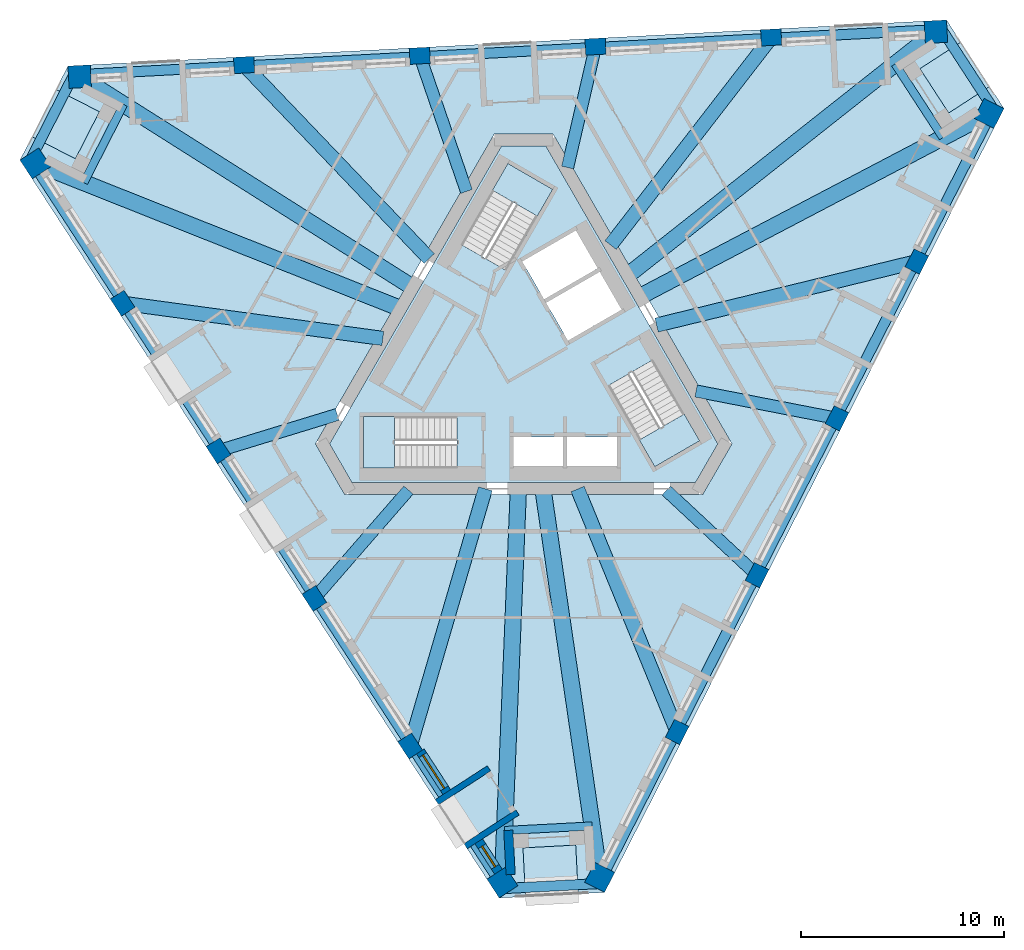
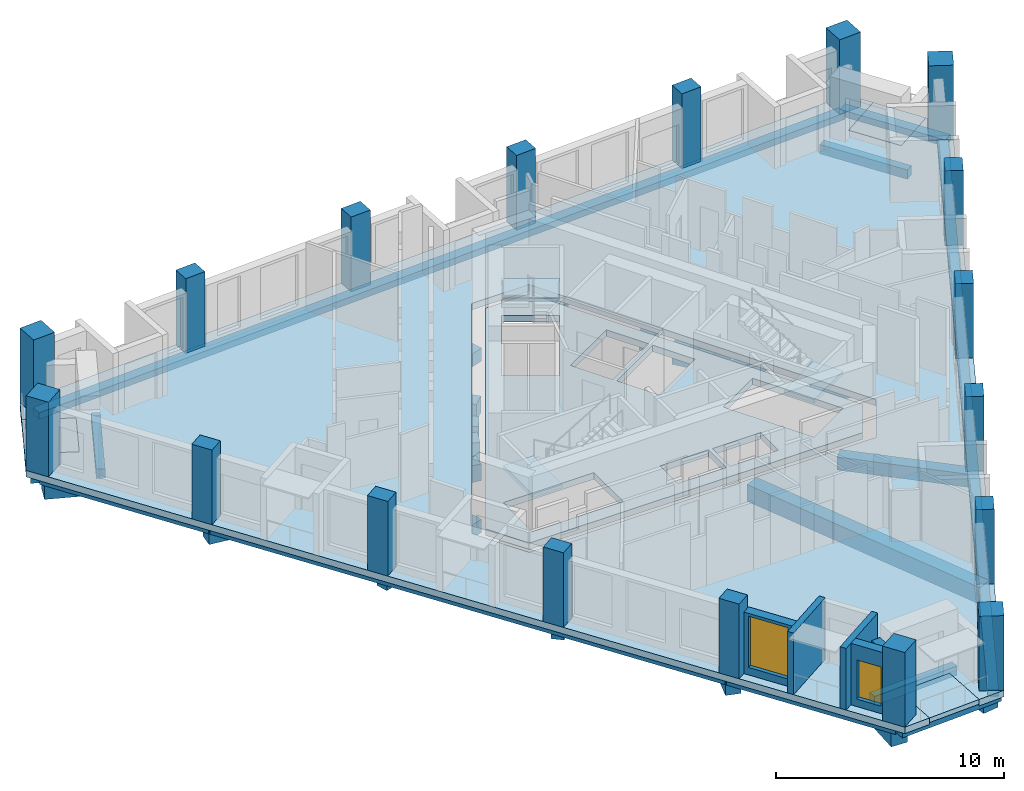
# One storey, part 1 of 12: 27 beams, 18 columns, 8 slabs, 5 walls, 2 windows, 2 openings, 3 elements without a shape of their own.
"""IFC4 building model written with IfcOpenShell, lengths in metres."""

from ifc_helpers import new_model, si_unit, direction, frame, frame_2d, origin, origin_2d, place, context, subcontext, project, spatial, polyline, rectangle, outline, extrude, material, layer, layer_set, material_profile, profile_set, type_object, element, fill, aggregate, save


model = new_model("IFC4")

# Units and contexts
model_context = context("Model", 3, precision=1e-05, world=origin(), true_north=direction((0.0, 1.0)))
body_context = subcontext(model_context, "Body", "Model", "MODEL_VIEW")
ifc_project = project(units=[si_unit("LENGTHUNIT", "METRE"), si_unit("AREAUNIT", "SQUARE_METRE"), si_unit("VOLUMEUNIT", "CUBIC_METRE"), si_unit("PLANEANGLEUNIT", "RADIAN"), si_unit("MASSUNIT", "GRAM", prefix="KILO")], contexts=[model_context])

# Site, building, storey
site_placement = place(None, origin())
site = spatial("IfcSite", under=ifc_project, at=site_placement, CompositionType="ELEMENT")
building_placement = place(site_placement, origin())
building = spatial("IfcBuilding", under=site, at=building_placement, Name="Tramontana Tower", CompositionType="ELEMENT")
storey_placement = place(building_placement, frame((0.0, 0.0, 298.39990234375)))
storey = spatial("IfcBuildingStorey", under=building, at=storey_placement, Name="L70", CompositionType="ELEMENT", Elevation=298.39990234375)

# Columns
ifc_material_1 = material(Name="Concrete 55 MPa", Category="concrete")
ifc_material_profile_1 = material_profile(ifc_material_1, rectangle(XDim=1.10009765625, YDim=1.10009765625, at=origin_2d()), Name="Mega column 1100X1100 55 MPa")
ifc_profile_set_1 = profile_set([ifc_material_profile_1], Name="Concrete 55 MPa")
column_type_1 = type_object("IfcColumnType", Name="Mega column 1100X1100 55 MPa", PredefinedType="COLUMN", material=ifc_profile_set_1)
for number, where, z_axis, x_axis, name in (
    (1, (-24.0302734375, 9.55419921875, 0.0), (0.0, 0.0, 1.0), (0.544639035015, -0.838670567945, 0.0), "Mega column C7K1 L70"),
    (2, (-1.0458984375, -25.8388671875, 0.0), (0.0, 0.0, 1.0), (0.544639035015, -0.838670567945, 0.0), "Mega column C7K2 L70"),
    (3, (3.740966796875, -25.587890625, 0.0), (0.0, 0.0, 1.0), (0.45399049974, 0.891006524188, 0.0), "Mega column C7K3 L70"),
    (4, (22.900146484375, 12.013671875, 0.0), (0.0, 0.0, 1.0), (0.45399049974, 0.891006524188, 0.0), "Mega column C7K4 L70"),
    (5, (20.289306640625, 16.033935546875, 0.0), (0.0, 0.0, 1.0), (-0.998629534755, -0.052335956243, 0.0), "Mega column C7K5 L70"),
    (6, (-21.854248046875, 13.8251953125, 0.0), (0.0, 0.0, 1.0), (-0.998629534755, -0.052335956243, 0.0), "Mega column C7K6 L70"),
):
    element("IfcColumn", number, at=place(storey_placement, frame(where, z_axis=z_axis, x_axis=x_axis)), inside=storey, type_object=column_type_1, Name=name, PredefinedType="COLUMN", context=body_context, shape_type="SweptSolid", body=[
        extrude(rectangle(XDim=1.10009765625, YDim=1.10009765625, at=origin_2d()), origin(), (0.0, 0.0, 1.0), 4.0),
    ])
ifc_material_2 = material(Name="Concrete 55 MPa", Category="concrete")
ifc_material_profile_2 = material_profile(ifc_material_2, rectangle(XDim=1.0, YDim=0.800048828125, at=origin_2d()), Name="Pier column 1000X800 55 MPa")
ifc_profile_set_2 = profile_set([ifc_material_profile_2], Name="Concrete 55 MPa")
column_type_2 = type_object("IfcColumnType", Name="Pier column 1000X800 55 MPa", PredefinedType="COLUMN", material=ifc_profile_set_2)
for number, where, z_axis, x_axis, name in (
    (7, (-19.739013671875, 2.670654296875, 0.0), (0.0, 0.0, 1.0), (0.544639035015, -0.838670567945, 0.0), "Pier column C7F01 L70"),
    (8, (-15.022216796875, -4.592529296875, 0.0), (0.0, 0.0, 1.0), (0.544639035015, -0.838670567945, 0.0), "Pier column C7F02 L70"),
    (9, (-10.3056640625, -11.855712890625, 0.0), (0.0, 0.0, 1.0), (0.544639035015, -0.838670567945, 0.0), "Pier column C7F03 L70"),
    (10, (-5.5888671875, -19.11865234375, 0.0), (0.0, 0.0, 1.0), (0.544639035015, -0.838670567945, 0.0), "Pier column C7F04 L70"),
    (11, (7.556640625, -18.4296875, 0.0), (0.0, 0.0, 1.0), (0.45399049974, 0.891006524188, 0.0), "Pier column C7F05 L70"),
    (12, (11.48828125, -10.71337890625, 0.0), (0.0, 0.0, 1.0), (0.45399049974, 0.891006524188, 0.0), "Pier column C7F06 L70"),
    (13, (15.419921875, -2.9970703125, 0.0), (0.0, 0.0, 1.0), (0.45399049974, 0.891006524188, 0.0), "Pier column C7F07 L70"),
    (14, (19.351806640625, 4.71923828125, 0.0), (0.0, 0.0, 1.0), (0.45399049974, 0.891006524188, 0.0), "Pier column C7F08 L70"),
    (15, (12.182373046875, 15.75927734375, 0.0), (0.0, 0.0, 1.0), (-0.998629534755, -0.052335956243, 0.0), "Pier column C7F09 L70"),
    (16, (3.533935546875, 15.305908203125, 0.0), (0.0, 0.0, 1.0), (-0.998629534755, -0.052335956243, 0.0), "Pier column C7F10 L70"),
    (17, (-5.114501953125, 14.852783203125, 0.0), (0.0, 0.0, 1.0), (-0.998629534755, -0.052335956243, 0.0), "Pier column C7F11 L70"),
    (18, (-13.762939453125, 14.3994140625, 0.0), (0.0, 0.0, 1.0), (-0.998629534755, -0.052335956243, 0.0), "Pier column C7F12 L70"),
):
    element("IfcColumn", number, at=place(storey_placement, frame(where, z_axis=z_axis, x_axis=x_axis)), inside=storey, type_object=column_type_2, Name=name, PredefinedType="COLUMN", context=body_context, shape_type="SweptSolid", body=[
        extrude(rectangle(XDim=1.0, YDim=0.800048828125, at=origin_2d()), origin(), (0.0, 0.0, 1.0), 4.0),
    ])

# Beams
ifc_material_3 = material(Name="Concrete 40 MPa", Category="concrete")
ifc_material_profile_3 = material_profile(ifc_material_3, rectangle(XDim=0.5, YDim=0.35009765625, at=origin_2d()), Name="RC EDGE BEAM 500X350 40 MPa")
ifc_profile_set_3 = profile_set([ifc_material_profile_3], Name="Concrete 40 MPa")
beam_type_1 = type_object("IfcBeamType", Name="RC EDGE BEAM 500X350 40 MPa", PredefinedType="SPANDREL", material=ifc_profile_set_3)
beam_1_placement = place(storey_placement, frame((-24.1142578125, 9.499755859375, -0.52490234375), z_axis=(0.544636517119, -0.838672203081, 0.0), x_axis=(0.838672203081, 0.544636517119, 0.0)))
element("IfcBeam", 19, at=beam_1_placement, inside=storey, type_object=beam_type_1, Name="Spandrel beam S0 L70", PredefinedType="SPANDREL", context=body_context, shape_type="SweptSolid", body=[
    extrude(rectangle(XDim=0.5, YDim=0.35009765625, at=origin_2d()), origin(), (0.0, 0.0, 1.0), 42.201416015625),
])
beam_2_placement = place(storey_placement, frame((3.830078125, -25.63330078125, -0.52490234375), z_axis=(0.453990170761, 0.891006691811, 0.0), x_axis=(-0.891006691811, 0.453990170761, 0.0)))
element("IfcBeam", 20, at=beam_2_placement, inside=storey, type_object=beam_type_1, Name="Spandrel beam S1 L70", PredefinedType="SPANDREL", context=body_context, shape_type="SweptSolid", body=[
    extrude(rectangle(XDim=0.5, YDim=0.35009765625, at=origin_2d()), origin(), (0.0, 0.0, 1.0), 42.201171875),
])
beam_3_placement = place(storey_placement, frame((20.2841796875, 16.1337890625, -0.52490234375), z_axis=(-0.998629423141, -0.052338085918, 0.0), x_axis=(0.052338085918, -0.998629423141, 0.0)))
element("IfcBeam", 21, at=beam_3_placement, inside=storey, type_object=beam_type_1, Name="Spandrel beam S2 L70", PredefinedType="SPANDREL", context=body_context, shape_type="SweptSolid", body=[
    extrude(rectangle(XDim=0.5, YDim=0.35009765625, at=origin_2d()), origin(), (0.0, 0.0, 1.0), 42.201416015625),
])
for number, where, z_axis, x_axis, name in (
    (22, (-22.03125, 14.141357421875, -0.52490234375), (-0.453966603753, -0.891018699398, 0.0), (0.891018699398, -0.453966603753, 0.0), "Spandrel beam K0 L70"),
    (23, (-1.231201171875, -26.150390625, -0.52490234375), (0.99862935635, 0.05233936029, 0.0), (-0.05233936029, 0.99862935635, 0.0), "Spandrel beam K1 L70"),
    (24, (23.262451171875, 12.0087890625, -0.52490234375), (-0.544641495757, 0.838668969916, 0.0), (-0.838668969916, -0.544641495757, 0.0), "Spandrel beam K2 L70"),
):
    element("IfcBeam", number, at=place(storey_placement, frame(where, z_axis=z_axis, x_axis=x_axis)), inside=storey, type_object=beam_type_1, Name=name, PredefinedType="SPANDREL", context=body_context, shape_type="SweptSolid", body=[
        extrude(rectangle(XDim=0.5, YDim=0.35009765625, at=origin_2d()), origin(), (0.0, 0.0, 1.0), 5.1962890625),
    ])
ifc_material_4 = material(Name="Concrete 40 MPa", Category="concrete")
ifc_material_profile_4 = material_profile(ifc_material_4, rectangle(XDim=0.60009765625, YDim=0.699951171875, at=origin_2d()), Name="RC GIRDER 600X700 40 MPa")
ifc_profile_set_4 = profile_set([ifc_material_profile_4], Name="Concrete 40 MPa")
beam_type_2 = type_object("IfcBeamType", Name="RC GIRDER 600X700 40 MPa", PredefinedType="BEAM", material=ifc_profile_set_4)
beam_4_placement = place(storey_placement, frame((-15.022216796875, -4.592529296875, -0.699951171875), z_axis=(0.956311245936, 0.292350476137, 0.0), x_axis=(-0.292350476137, 0.956311245936, 0.0)))
element("IfcBeam", 25, at=beam_4_placement, inside=storey, type_object=beam_type_2, Name="Radial girder C7F02 L70", PredefinedType="BEAM", context=body_context, shape_type="SweptSolid", body=[
    extrude(rectangle(XDim=0.60009765625, YDim=0.699951171875, at=origin_2d()), origin(), (0.0, 0.0, 1.0), 6.111328125),
])
beam_5_placement = place(storey_placement, frame((-10.3056640625, -11.855712890625, -0.699951171875), z_axis=(0.656054652409, 0.754713384705, 0.0), x_axis=(-0.754713384705, 0.656054652409, 0.0)))
element("IfcBeam", 26, at=beam_5_placement, inside=storey, type_object=beam_type_2, Name="Radial girder C7F03 L70", PredefinedType="BEAM", context=body_context, shape_type="SweptSolid", body=[
    extrude(rectangle(XDim=0.60009765625, YDim=0.699951171875, at=origin_2d()), origin(), (0.0, 0.0, 1.0), 7.06494140625),
])
beam_6_placement = place(storey_placement, frame((11.48828125, -10.71337890625, -0.699951171875), z_axis=(-0.731344808312, 0.682007896843, 0.0), x_axis=(-0.682007896843, -0.731344808312, 0.0)))
element("IfcBeam", 27, at=beam_6_placement, inside=storey, type_object=beam_type_2, Name="Radial girder C7F06 L70", PredefinedType="BEAM", context=body_context, shape_type="SweptSolid", body=[
    extrude(rectangle(XDim=0.60009765625, YDim=0.699951171875, at=origin_2d()), origin(), (0.0, 0.0, 1.0), 6.111328125),
])
beam_7_placement = place(storey_placement, frame((15.419921875, -2.9970703125, -0.699951171875), z_axis=(-0.981630853668, 0.190790112761, 0.0), x_axis=(-0.190790112761, -0.981630853668, 0.0)))
element("IfcBeam", 28, at=beam_7_placement, inside=storey, type_object=beam_type_2, Name="Radial girder C7F07 L70", PredefinedType="BEAM", context=body_context, shape_type="SweptSolid", body=[
    extrude(rectangle(XDim=0.60009765625, YDim=0.699951171875, at=origin_2d()), origin(), (0.0, 0.0, 1.0), 7.06494140625),
])
beam_8_placement = place(storey_placement, frame((3.533935546875, 15.305908203125, -0.699951171875), z_axis=(-0.224955788451, -0.974368971818, 0.0), x_axis=(0.974368971818, -0.224955788451, 0.0)))
element("IfcBeam", 29, at=beam_8_placement, inside=storey, type_object=beam_type_2, Name="Radial girder C7F10 L70", PredefinedType="BEAM", context=body_context, shape_type="SweptSolid", body=[
    extrude(rectangle(XDim=0.60009765625, YDim=0.699951171875, at=origin_2d()), origin(), (0.0, 0.0, 1.0), 6.111328125),
])
beam_9_placement = place(storey_placement, frame((-5.114501953125, 14.852783203125, -0.699951171875), z_axis=(0.325583843266, -0.945513173364, 0.0), x_axis=(0.945513173364, 0.325583843266, 0.0)))
element("IfcBeam", 30, at=beam_9_placement, inside=storey, type_object=beam_type_2, Name="Radial girder C7F11 L70", PredefinedType="BEAM", context=body_context, shape_type="SweptSolid", body=[
    extrude(rectangle(XDim=0.60009765625, YDim=0.699951171875, at=origin_2d()), origin(), (0.0, 0.0, 1.0), 7.065185546875),
])
ifc_material_5 = material(Name="Concrete 40 MPa", Category="concrete")
ifc_material_profile_5 = material_profile(ifc_material_5, rectangle(XDim=0.699951171875, YDim=0.89990234375, at=origin_2d()), Name="RC GIRDER 700X900 40 MPa")
ifc_profile_set_5 = profile_set([ifc_material_profile_5], Name="Concrete 40 MPa")
beam_type_3 = type_object("IfcBeamType", Name="RC GIRDER 700X900 40 MPa", PredefinedType="BEAM", material=ifc_profile_set_5)
beam_10_placement = place(storey_placement, frame((-19.739013671875, 2.670654296875, -0.7998046875), z_axis=(0.990971820042, -0.134070324396, 0.0), x_axis=(0.134070324396, 0.990971820042, 0.0)))
element("IfcBeam", 31, at=beam_10_placement, inside=storey, type_object=beam_type_3, Name="Radial girder C7F01 L70", PredefinedType="BEAM", context=body_context, shape_type="SweptSolid", body=[
    extrude(rectangle(XDim=0.699951171875, YDim=0.89990234375, at=origin_2d()), origin(), (0.0, 0.0, 1.0), 12.923583984375),
])
beam_11_placement = place(storey_placement, frame((-5.5888671875, -19.11865234375, -0.7998046875), z_axis=(0.280592184152, 0.959827081402, 0.0), x_axis=(-0.959827081402, 0.280592184152, 0.0)))
element("IfcBeam", 32, at=beam_11_placement, inside=storey, type_object=beam_type_3, Name="Radial girder C7F04 L70", PredefinedType="BEAM", context=body_context, shape_type="SweptSolid", body=[
    extrude(rectangle(XDim=0.699951171875, YDim=0.89990234375, at=origin_2d()), origin(), (0.0, 0.0, 1.0), 13.186279296875),
])
beam_12_placement = place(storey_placement, frame((7.556640625, -18.4296875, -0.7998046875), z_axis=(-0.379376408021, 0.925242422848, 0.0), x_axis=(-0.925242422848, -0.379376408021, 0.0)))
element("IfcBeam", 33, at=beam_12_placement, inside=storey, type_object=beam_type_3, Name="Radial girder C7F05 L70", PredefinedType="BEAM", context=body_context, shape_type="SweptSolid", body=[
    extrude(rectangle(XDim=0.699951171875, YDim=0.89990234375, at=origin_2d()), origin(), (0.0, 0.0, 1.0), 12.92333984375),
])
beam_13_placement = place(storey_placement, frame((19.351806640625, 4.71923828125, -0.7998046875), z_axis=(-0.971531149173, -0.2369118532, 0.0), x_axis=(0.2369118532, -0.971531149173, 0.0)))
element("IfcBeam", 34, at=beam_13_placement, inside=storey, type_object=beam_type_3, Name="Radial girder C7F08 L70", PredefinedType="BEAM", context=body_context, shape_type="SweptSolid", body=[
    extrude(rectangle(XDim=0.699951171875, YDim=0.89990234375, at=origin_2d()), origin(), (0.0, 0.0, 1.0), 13.1865234375),
])
beam_14_placement = place(storey_placement, frame((12.182373046875, 15.75927734375, -0.7998046875), z_axis=(-0.611594268049, -0.791171568808, 0.0), x_axis=(0.791171568808, -0.611594268049, 0.0)))
element("IfcBeam", 35, at=beam_14_placement, inside=storey, type_object=beam_type_3, Name="Radial girder C7F09 L70", PredefinedType="BEAM", context=body_context, shape_type="SweptSolid", body=[
    extrude(rectangle(XDim=0.699951171875, YDim=0.89990234375, at=origin_2d()), origin(), (0.0, 0.0, 1.0), 12.923583984375),
])
beam_15_placement = place(storey_placement, frame((-13.762939453125, 14.3994140625, -0.7998046875), z_axis=(0.69094809316, -0.722904373039, 0.0), x_axis=(0.722904373039, 0.69094809316, 0.0)))
element("IfcBeam", 36, at=beam_15_placement, inside=storey, type_object=beam_type_3, Name="Radial girder C7F12 L70", PredefinedType="BEAM", context=body_context, shape_type="SweptSolid", body=[
    extrude(rectangle(XDim=0.699951171875, YDim=0.89990234375, at=origin_2d()), origin(), (0.0, 0.0, 1.0), 13.186279296875),
])
ifc_material_6 = material(Name="Concrete 40 MPa", Category="concrete")
ifc_material_profile_6 = material_profile(ifc_material_6, rectangle(XDim=0.800048828125, YDim=1.10009765625, at=origin_2d()), Name="RC GIRDER 800X1100 40 MPa")
ifc_profile_set_6 = profile_set([ifc_material_profile_6], Name="Concrete 40 MPa")
beam_type_4 = type_object("IfcBeamType", Name="RC GIRDER 800X1100 40 MPa", PredefinedType="BEAM", material=ifc_profile_set_6)
beam_16_placement = place(storey_placement, frame((-24.030517578125, 9.55419921875, -0.89990234375), z_axis=(0.929246961318, -0.369459178912, 0.0), x_axis=(0.369459178912, 0.929246961318, 0.0)))
element("IfcBeam", 37, at=beam_16_placement, inside=storey, type_object=beam_type_4, Name="Radial girder C7K1 L70", PredefinedType="BEAM", context=body_context, shape_type="SweptSolid", body=[
    extrude(rectangle(XDim=0.800048828125, YDim=1.10009765625, at=origin_2d()), origin(), (0.0, 0.0, 1.0), 19.33837890625),
])
beam_17_placement = place(storey_placement, frame((-1.0458984375, -25.8388671875, -0.89990234375), z_axis=(0.040449893492, 0.999181568143, 0.0), x_axis=(-0.999181568143, 0.040449893492, 0.0)))
element("IfcBeam", 38, at=beam_17_placement, inside=storey, type_object=beam_type_4, Name="Radial girder C7K2 L70", PredefinedType="BEAM", context=body_context, shape_type="SweptSolid", body=[
    extrude(rectangle(XDim=0.800048828125, YDim=1.10009765625, at=origin_2d()), origin(), (0.0, 0.0, 1.0), 19.404541015625),
])
beam_18_placement = place(storey_placement, frame((3.7412109375, -25.587890625, -0.89990234375), z_axis=(-0.144667438406, 0.989480334451, 0.0), x_axis=(-0.989480334451, -0.144667438406, 0.0)))
element("IfcBeam", 39, at=beam_18_placement, inside=storey, type_object=beam_type_4, Name="Radial girder C7K3 L70", PredefinedType="BEAM", context=body_context, shape_type="SweptSolid", body=[
    extrude(rectangle(XDim=0.800048828125, YDim=1.10009765625, at=origin_2d()), origin(), (0.0, 0.0, 1.0), 19.338134765625),
])
beam_19_placement = place(storey_placement, frame((22.89990234375, 12.013671875, -0.89990234375), z_axis=(-0.885538061337, -0.46456683257, 0.0), x_axis=(0.46456683257, -0.885538061337, 0.0)))
element("IfcBeam", 40, at=beam_19_placement, inside=storey, type_object=beam_type_4, Name="Radial girder C7K4 L70", PredefinedType="BEAM", context=body_context, shape_type="SweptSolid", body=[
    extrude(rectangle(XDim=0.800048828125, YDim=1.10009765625, at=origin_2d()), origin(), (0.0, 0.0, 1.0), 19.404296875),
])
beam_20_placement = place(storey_placement, frame((20.289306640625, 16.03369140625, -0.89990234375), z_axis=(-0.784585689125, -0.620020400003, 0.0), x_axis=(0.620020400003, -0.784585689125, 0.0)))
element("IfcBeam", 41, at=beam_20_placement, inside=storey, type_object=beam_type_4, Name="Radial girder C7K5 L70", PredefinedType="BEAM", context=body_context, shape_type="SweptSolid", body=[
    extrude(rectangle(XDim=0.800048828125, YDim=1.10009765625, at=origin_2d()), origin(), (0.0, 0.0, 1.0), 19.338134765625),
])
beam_21_placement = place(storey_placement, frame((-21.85400390625, 13.8251953125, -0.89990234375), z_axis=(0.845090437102, -0.53462337502, 0.0), x_axis=(0.53462337502, 0.845090437102, 0.0)))
element("IfcBeam", 42, at=beam_21_placement, inside=storey, type_object=beam_type_4, Name="Radial girder C7K6 L70", PredefinedType="BEAM", context=body_context, shape_type="SweptSolid", body=[
    extrude(rectangle(XDim=0.800048828125, YDim=1.10009765625, at=origin_2d()), origin(), (0.0, 0.0, 1.0), 19.404296875),
])
ifc_material_7 = material(Name="Concrete 40 MPa", Category="concrete")
ifc_material_profile_7 = material_profile(ifc_material_7, rectangle(XDim=0.39990234375, YDim=0.5, at=origin_2d()), Name="RC TRIM BEAM 400X500 40 MPa")
ifc_profile_set_7 = profile_set([ifc_material_profile_7], Name="Concrete 40 MPa")
beam_type_5 = type_object("IfcBeamType", Name="RC TRIM BEAM 400X500 40 MPa", PredefinedType="JOIST", material=ifc_profile_set_7)
for number, where, z_axis, x_axis, name in (
    (43, (-19.69091796875, 12.456787109375, -0.599853515625), (-0.454006220993, -0.890998513635, 0.0), (0.890998513635, -0.454006220993, 0.0), "Trimmer beam K0 L70"),
    (44, (-0.9423828125, -23.28125, -0.599853515625), (0.998629204559, 0.052342256377, 0.0), (-0.052342256377, 0.998629204559, 0.0), "Trimmer beam K1 L70"),
    (45, (20.63330078125, 10.824462890625, -0.599853515625), (-0.544628679426, 0.838677292853, 0.0), (-0.838677292853, -0.544628679426, 0.0), "Trimmer beam K2 L70"),
):
    element("IfcBeam", number, at=place(storey_placement, frame(where, z_axis=z_axis, x_axis=x_axis)), inside=storey, type_object=beam_type_5, Name=name, PredefinedType="JOIST", context=body_context, shape_type="SweptSolid", body=[
        extrude(rectangle(XDim=0.39990234375, YDim=0.5, at=origin_2d()), origin(), (0.0, 0.0, 1.0), 4.319091796875),
    ])

# Slabs
ifc_material_8 = material(Name="Precast concrete 50 MPa", Category="concrete")
ifc_layer_1 = layer(ifc_material_8, 0.25)
ifc_layer_set_1 = layer_set([ifc_layer_1], Name="LT1 Loggia floor tray 250")
slab_type_1 = type_object("IfcSlabType", Name="LT1 Loggia floor tray 250", PredefinedType="FLOOR", material=ifc_layer_set_1)
slab_1_placement = place(storey_placement, frame((0.0, 0.0, -0.25)))
element("IfcSlab", 46, at=slab_1_placement, inside=storey, type_object=slab_type_1, Name="Corner loggia floor L70 K70", PredefinedType="FLOOR", context=body_context, shape_type="SweptSolid", body=[
    extrude(outline(polyline([(-23.021484375, 13.18896484375), (-20.883056640625, 12.099365234375), (-22.0634765625, 9.782958984375), (-24.201904296875, 10.87255859375), (-23.021484375, 13.18896484375)])), origin(), (0.0, 0.0, 1.0), 0.25),
])
slab_2_placement = place(storey_placement, frame((0.0, 0.0, -0.25)))
element("IfcSlab", 47, at=slab_2_placement, inside=storey, type_object=slab_type_1, Name="Corner loggia floor L70 K71", PredefinedType="FLOOR", context=body_context, shape_type="SweptSolid", body=[
    extrude(outline(polyline([(0.088623046875, -26.53173828125), (-0.036865234375, -24.135009765625), (2.5595703125, -23.9990234375), (2.68505859375, -26.395751953125), (0.088623046875, -26.53173828125)])), origin(), (0.0, 0.0, 1.0), 0.25),
])
slab_3_placement = place(storey_placement, frame((0.0, 0.0, -0.25)))
element("IfcSlab", 48, at=slab_3_placement, inside=storey, type_object=slab_type_1, Name="Corner loggia floor L70 K72", PredefinedType="FLOOR", context=body_context, shape_type="SweptSolid", body=[
    extrude(outline(polyline([(22.932861328125, 13.3427734375), (20.919921875, 12.03564453125), (19.50390625, 14.216064453125), (21.516845703125, 15.523193359375), (22.932861328125, 13.3427734375)])), origin(), (0.0, 0.0, 1.0), 0.25),
])
ifc_material_9 = material(Name="Concrete 40 MPa", Category="concrete")
ifc_layer_2 = layer(ifc_material_9, 0.35009765625)
ifc_layer_set_2 = layer_set([ifc_layer_2], Name="PT FLAT SLAB 350 40 MPa")
slab_type_2 = type_object("IfcSlabType", Name="PT FLAT SLAB 350 40 MPa", PredefinedType="FLOOR", material=ifc_layer_set_2)
slab_4_placement = place(storey_placement, frame((0.0, 0.0, -0.349853515625)))
element("IfcSlab", 49, at=slab_4_placement, inside=storey, type_object=slab_type_2, Name="Floor slab L70", PredefinedType="FLOOR", context=body_context, shape_type="SweptSolid", body=[
    extrude(outline(polyline([(21.5166015625, 15.523193359375), (19.50390625, 14.216064453125), (20.919921875, 12.035400390625), (22.932861328125, 13.3427734375), (23.639892578125, 12.25390625), (3.9814453125, -26.32763671875), (2.68505859375, -26.3955078125), (2.5595703125, -23.998779296875), (-0.036865234375, -24.135009765625), (0.088623046875, -26.53173828125), (-1.20751953125, -26.599609375), (-24.791259765625, 9.7158203125), (-24.201904296875, 10.872314453125), (-22.0634765625, 9.782958984375), (-20.883056640625, 12.099609375), (-23.021484375, 13.189208984375), (-22.43212890625, 14.345703125), (20.809814453125, 16.61181640625), (21.5166015625, 15.523193359375)]), holes=[polyline([(-10.248046875, -4.25), (-8.8046875, -6.75), (8.8046875, -6.75), (10.248046875, -4.25), (1.443359375, 11.0), (-1.443359375, 11.0), (-10.248046875, -4.25)])]), origin(), (0.0, 0.0, 1.0), 0.349853515625),
])
slab_5_placement = place(storey_placement, frame((0.0, 0.0, -0.349853515625)))
element("IfcSlab", 50, at=slab_5_placement, inside=storey, type_object=slab_type_2, Name="Core floor slab L70", PredefinedType="FLOOR", context=body_context, shape_type="SweptSolid", body=[
    extrude(outline(polyline([(9.55517578125, -4.25), (8.458251953125, -6.14990234375), (-8.458251953125, -6.14990234375), (-9.55517578125, -4.25), (-1.096923828125, 10.39990234375), (1.096923828125, 10.39990234375), (9.55517578125, -4.25)]), holes=[polyline([(8.659912109375, -4.099365234375), (6.35986328125, -0.115478515625), (4.151611328125, -1.390625), (6.451416015625, -5.374267578125), (8.659912109375, -4.099365234375)]), polyline([(3.829833984375, 4.2666015625), (1.101806640625, 2.69140625), (2.177001953125, 0.82958984375), (4.90478515625, 2.404541015625), (3.829833984375, 4.2666015625)]), polyline([(4.590087890625, -3.89990234375), (2.139892578125, -3.89990234375), (2.139892578125, -5.449951171875), (4.590087890625, -5.449951171875), (4.590087890625, -3.89990234375)]), polyline([(2.65478515625, 6.3017578125), (-0.072998046875, 4.726806640625), (1.001953125, 2.86474609375), (3.729736328125, 4.439697265625), (2.65478515625, 6.3017578125)]), polyline([(1.93994140625, -5.449951171875), (1.93994140625, -3.89990234375), (-0.510009765625, -3.89990234375), (-0.510009765625, -5.449951171875), (1.93994140625, -5.449951171875)]), polyline([(-0.77978515625, 9.54931640625), (-3.079833984375, 5.565673828125), (-0.87158203125, 4.29052734375), (1.428466796875, 8.2744140625), (-0.77978515625, 9.54931640625)]), polyline([(-7.8798828125, -5.449951171875), (-3.280029296875, -5.449951171875), (-3.280029296875, -2.89990234375), (-7.8798828125, -2.89990234375), (-7.8798828125, -5.449951171875)])]), origin(), (0.0, 0.0, 1.0), 0.349853515625),
])

# Stair, slab
ifc_material_10 = material(Name="Concrete 40 MPa", Category="concrete")
stair_type = type_object("IfcStairType", Name="EXIT STAIR 24 RISERS", PredefinedType="HALF_TURN_STAIR", material=ifc_material_10)
stair_1_placement = place(storey_placement, origin())
stair_1 = element("IfcStair", 51, at=stair_1_placement, inside=storey, type_object=stair_type, Name="L70 Exit stair ST1", PredefinedType="HALF_TURN_STAIR")
ifc_material_11 = material(Name="Concrete 40 MPa", Category="concrete")
ifc_layer_3 = layer(ifc_material_11, 0.199951171875)
ifc_layer_set_3 = layer_set([ifc_layer_3], Name="STAIR LANDING 200")
slab_type_3 = type_object("IfcSlabType", Name="STAIR LANDING 200", PredefinedType="LANDING", material=ifc_layer_set_3)
slab_6_placement = place(storey_placement, frame((0.0, 0.0, 1.800048828125)))
slab_6 = element("IfcSlab", 52, at=slab_6_placement, type_object=slab_type_3, Name="ST1 landing 1", PredefinedType="LANDING", context=body_context, shape_type="SweptSolid", body=[
    extrude(outline(polyline([(0.66845703125, 6.9580078125), (1.428466796875, 8.274169921875), (-0.77978515625, 9.54931640625), (-1.539794921875, 8.23291015625), (0.66845703125, 6.9580078125)])), origin(), (0.0, 0.0, 1.0), 0.199951171875),
])
aggregate(stair_1, [slab_6])

stair_2_placement = place(storey_placement, origin())
stair_2 = element("IfcStair", 53, at=stair_2_placement, inside=storey, type_object=stair_type, Name="L70 Exit stair ST2", PredefinedType="HALF_TURN_STAIR")
slab_7_placement = place(storey_placement, frame((0.0, 0.0, 1.800048828125)))
slab_7 = element("IfcSlab", 54, at=slab_7_placement, type_object=slab_type_3, Name="ST2 landing 1", PredefinedType="LANDING", context=body_context, shape_type="SweptSolid", body=[
    extrude(outline(polyline([(-6.360107421875, -2.89990234375), (-7.8798828125, -2.89990234375), (-7.8798828125, -5.449951171875), (-6.360107421875, -5.449951171875), (-6.360107421875, -2.89990234375)])), origin(), (0.0, 0.0, 1.0), 0.199951171875),
])
aggregate(stair_2, [slab_7])

stair_3_placement = place(storey_placement, origin())
stair_3 = element("IfcStair", 55, at=stair_3_placement, inside=storey, type_object=stair_type, Name="L70 Exit stair ST3", PredefinedType="HALF_TURN_STAIR")
slab_8_placement = place(storey_placement, frame((0.0, 0.0, 1.800048828125)))
slab_8 = element("IfcSlab", 56, at=slab_8_placement, type_object=slab_type_3, Name="ST3 landing 1", PredefinedType="LANDING", context=body_context, shape_type="SweptSolid", body=[
    extrude(outline(polyline([(5.69140625, -4.057861328125), (6.451416015625, -5.374267578125), (8.659912109375, -4.099365234375), (7.89990234375, -2.782958984375), (5.69140625, -4.057861328125)])), origin(), (0.0, 0.0, 1.0), 0.199951171875),
])
aggregate(stair_3, [slab_8])

# Wall, opening, window
ifc_material_12 = material(Name="Precast concrete 60 MPa", Category="concrete")
ifc_layer_4 = layer(ifc_material_12, 0.449951171875)
ifc_layer_set_4 = layer_set([ifc_layer_4], Name="Precast concrete 60 MPa, 450 mm")
wall_type_1 = type_object("IfcWallType", Name="EW1 Stone-faced precast wall 450", PredefinedType="SOLIDWALL", material=ifc_layer_set_4)
wall_1_placement = place(storey_placement, frame((-5.0859375, -19.38818359375, 0.0), z_axis=(0.0, 0.0, 1.0), x_axis=(0.544675520966, -0.838646872563, 0.0)))
wall_1 = element("IfcWall", 57, at=wall_1_placement, inside=storey, type_object=wall_type_1, Name="External wall L70 face 0 bay 5", PredefinedType="SOLIDWALL", context=body_context, shape_type="SweptSolid", body=[
    extrude(rectangle(XDim=2.38671875, YDim=0.449951171875, at=frame_2d((1.193359375, 0.0))), origin(), (0.0, 0.0, 1.0), 3.300048828125),
])
opening_1_placement = place(wall_1_placement, frame((0.21826171875, 0.0, 0.39990234375)))
opening_1 = element("IfcOpeningElement", 58, at=opening_1_placement, cuts=wall_1, Name="Opening M3", PredefinedType="OPENING", context=body_context, shape_type="SweptSolid", body=[
    extrude(rectangle(XDim=1.949951171875, YDim=2.75, at=frame_2d((0.97509765625, 1.375))), frame((0.0, 0.23486328125, 0.0), z_axis=(0.0, -1.0, 0.0), x_axis=(1.0, 0.0, 0.0)), (0.0, 0.0, 1.0), 0.469970703125),
])
ifc_material_13 = material(Name="Aluminum frame, double glazing unit", Category="aluminium")
window_type_1 = type_object("IfcWindowType", Name="M3 Window 1.95 x 2.75", PartitioningType="SINGLE_PANEL", PredefinedType="WINDOW", material=ifc_material_13)
window_1_placement = place(opening_1_placement, origin())
window_1 = element("IfcWindow", 59, at=window_1_placement, inside=storey, type_object=window_type_1, Name="Window M3 L70 face 0 module 13", OverallHeight=2.75, OverallWidth=1.949951171875, PartitioningType="SINGLE_PANEL", PredefinedType="WINDOW", context=body_context, shape_type="SweptSolid", body=[
    extrude(rectangle(XDim=1.949951171875, YDim=2.75, at=frame_2d((0.97509765625, 1.375))), frame((0.0, 0.030029296875, 0.0), z_axis=(0.0, -1.0, 0.0), x_axis=(1.0, 0.0, 0.0)), (0.0, 0.0, 1.0), 0.06005859375),
])
fill(opening_1, window_1)

wall_2_placement = place(storey_placement, frame((-2.2138671875, -23.81103515625, 0.0), z_axis=(0.0, 0.0, 1.0), x_axis=(0.544632902776, -0.838674550236, 0.0)))
wall_2 = element("IfcWall", 60, at=wall_2_placement, inside=storey, type_object=wall_type_1, Name="External wall L70 face 0 bay 5", PredefinedType="SOLIDWALL", context=body_context, shape_type="SweptSolid", body=[
    extrude(rectangle(XDim=1.786865234375, YDim=0.449951171875, at=frame_2d((0.8935546875, 0.0))), origin(), (0.0, 0.0, 1.0), 3.300048828125),
])
opening_2_placement = place(wall_2_placement, frame((0.29345703125, 0.0, 0.39990234375)))
opening_2 = element("IfcOpeningElement", 61, at=opening_2_placement, cuts=wall_2, Name="Opening N3L", PredefinedType="OPENING", context=body_context, shape_type="SweptSolid", body=[
    extrude(rectangle(XDim=1.199951171875, YDim=2.10009765625, at=frame_2d((0.60009765625, 1.050048828125))), frame((0.0, 0.23486328125, 0.0), z_axis=(0.0, -1.0, 0.0), x_axis=(1.0, 0.0, 0.0)), (0.0, 0.0, 1.0), 0.469970703125),
])
ifc_material_14 = material(Name="Aluminum frame, double glazing unit", Category="aluminium")
window_type_2 = type_object("IfcWindowType", Name="N3L Window 1.2 x 2.1", PartitioningType="SINGLE_PANEL", PredefinedType="WINDOW", material=ifc_material_14)
window_2_placement = place(opening_2_placement, origin())
window_2 = element("IfcWindow", 62, at=window_2_placement, inside=storey, type_object=window_type_2, Name="Window N3L L70 face 0 module 15", OverallHeight=2.10009765625, OverallWidth=1.199951171875, PartitioningType="SINGLE_PANEL", PredefinedType="WINDOW", context=body_context, shape_type="SweptSolid", body=[
    extrude(rectangle(XDim=1.199951171875, YDim=2.10009765625, at=frame_2d((0.60009765625, 1.050048828125))), frame((0.0, 0.030029296875, 0.0), z_axis=(0.0, -1.0, 0.0), x_axis=(1.0, 0.0, 0.0)), (0.0, 0.0, 1.0), 0.06005859375),
])
fill(opening_2, window_2)

# Walls
wall_3_placement = place(storey_placement, frame((-0.64404296875, -25.44775390625, 0.0), z_axis=(0.0, 0.0, 1.0), x_axis=(-0.052317751649, 0.998630488651, 0.0)))
element("IfcWall", 63, at=wall_3_placement, inside=storey, type_object=wall_type_1, Name="Corner loggia side wall L70 K71r", PredefinedType="SOLIDWALL", context=body_context, shape_type="SweptSolid", body=[
    extrude(rectangle(XDim=2.17919921875, YDim=0.449951171875, at=frame_2d((1.089599609375, 0.0))), origin(), (0.0, 0.0, 1.0), 2.550048828125),
])
ifc_material_15 = material(Name="Precast concrete 60 MPa", Category="concrete")
ifc_layer_5 = layer(ifc_material_15, 0.300048828125)
ifc_layer_set_5 = layer_set([ifc_layer_5], Name="LW1 Stone-faced loggia wall 300")
wall_type_2 = type_object("IfcWallType", Name="LW1 Stone-faced loggia wall 300", PredefinedType="SOLIDWALL", material=ifc_layer_set_5)
wall_4_placement = place(storey_placement, frame((-4.2705078125, -21.88330078125, 0.0), z_axis=(0.0, 0.0, 1.0), x_axis=(0.838688583525, 0.544611292451, 0.0)))
element("IfcWall", 64, at=wall_4_placement, inside=storey, type_object=wall_type_2, Name="Loggia return L70 G7S0.13a", PredefinedType="SOLIDWALL", context=body_context, shape_type="SweptSolid", body=[
    extrude(rectangle(XDim=3.050048828125, YDim=0.300048828125, at=frame_2d((1.52490234375, 0.0))), origin(), (0.0, 0.0, 1.0), 3.300048828125),
])
wall_5_placement = place(storey_placement, frame((-2.861572265625, -24.052734375, 0.0), z_axis=(0.0, 0.0, 1.0), x_axis=(0.838664840319, 0.544647854685, 0.0)))
element("IfcWall", 65, at=wall_5_placement, inside=storey, type_object=wall_type_2, Name="Loggia return L70 G7S0.13b", PredefinedType="SOLIDWALL", context=body_context, shape_type="SweptSolid", body=[
    extrude(rectangle(XDim=3.0498046875, YDim=0.300048828125, at=frame_2d((1.52490234375, 0.0))), origin(), (0.0, 0.0, 1.0), 3.300048828125),
])

save(model, "model.ifc")
